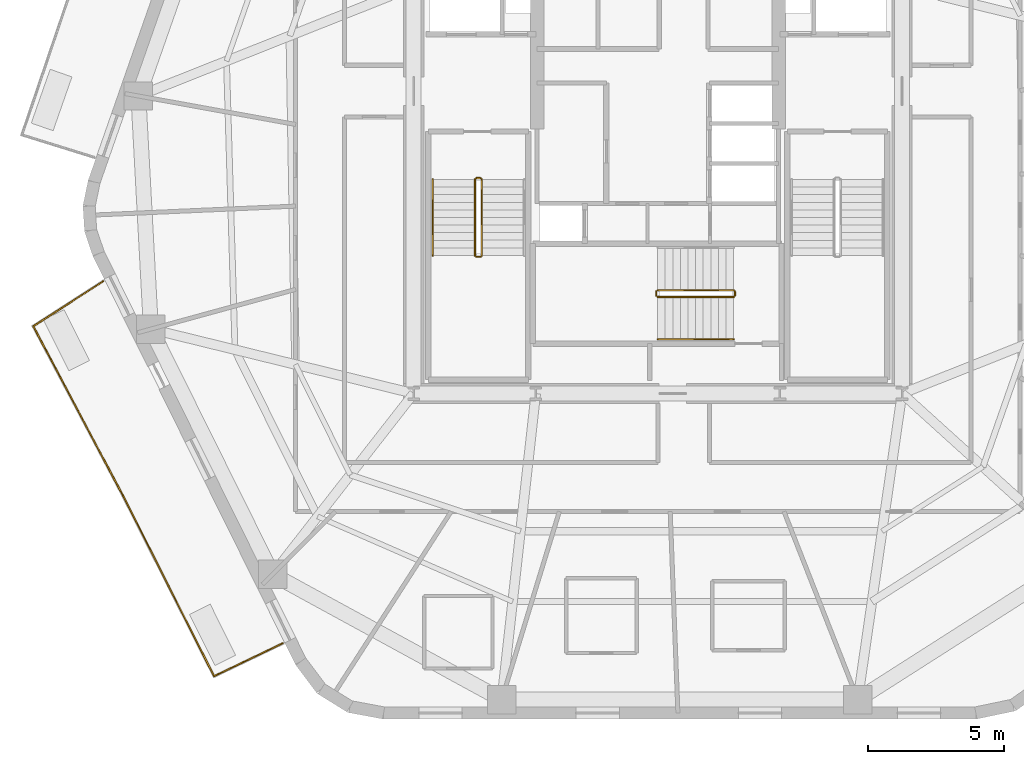
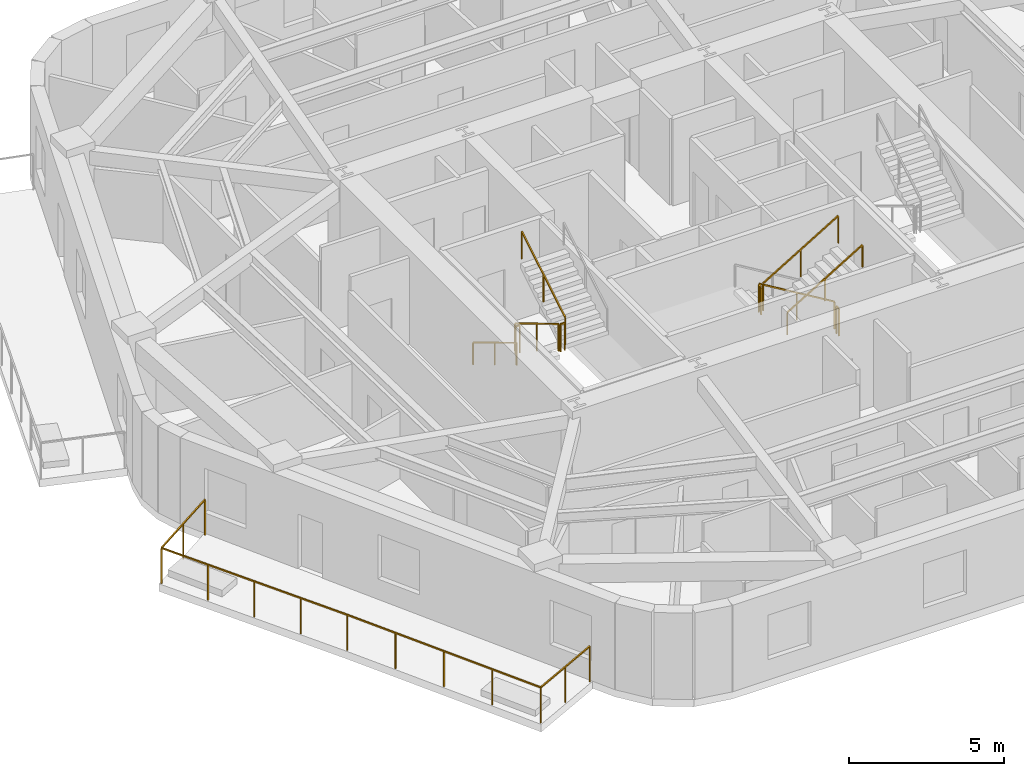
# One storey, part 8 of 10: 11 railings.
"""IFC4 building model written with IfcOpenShell, lengths in metres."""

from ifc_helpers import new_model, si_unit, direction, frame, origin, origin_2d, place, context, subcontext, project, spatial, rectangle, extrude, material, layer, layer_set, type_object, element, save


model = new_model("IFC4")

# Units and contexts
model_context = context("Model", 3, precision=1e-05, world=origin(), true_north=direction((0.0, 1.0)))
body_context = subcontext(model_context, "Body", "Model", "MODEL_VIEW")
ifc_project = project(units=[si_unit("LENGTHUNIT", "METRE"), si_unit("AREAUNIT", "SQUARE_METRE"), si_unit("VOLUMEUNIT", "CUBIC_METRE"), si_unit("PLANEANGLEUNIT", "RADIAN"), si_unit("MASSUNIT", "GRAM", prefix="KILO")], contexts=[model_context])

# Site, building, storey
site_placement = place(None, origin())
site = spatial("IfcSite", under=ifc_project, at=site_placement, CompositionType="ELEMENT")
building_placement = place(site_placement, origin())
building = spatial("IfcBuilding", under=site, at=building_placement, Name="Kilnhurst Terrace Hotel", CompositionType="ELEMENT")
storey_placement = place(building_placement, frame((0.0, 0.0, 183.0)))
storey = spatial("IfcBuildingStorey", under=building, at=storey_placement, Name="L45", CompositionType="ELEMENT", Elevation=183.0)

# Railings
ifc_material_1 = material(Name="Laminated SentryGlas and Stainless Steel AISI 316L Balustrade", Category="steel")
ifc_layer_1 = layer(ifc_material_1, 0.070068359375, Name="Laminated SentryGlas and Stainless Steel AISI 316L Balustrade")
ifc_layer_set_1 = layer_set([ifc_layer_1], Name="Laminated SentryGlas and Stainless Steel AISI 316L Balustrade")
railing_type_1 = type_object("IfcRailingType", Name="RLG-BAL-1420", PredefinedType="BALUSTRADE", material=ifc_layer_set_1)
railing_1_placement = place(storey_placement, frame((-13.83544921875, -16.709716796875, 0.0)))
element("IfcRailing", 1, at=railing_1_placement, inside=storey, type_object=railing_type_1, Name="L45 Exterior Terrace Guardrail BAL-L2B.1", PredefinedType="BALUSTRADE", context=body_context, shape_type="SweptSolid", body=[
    extrude(rectangle(XDim=0.048095703125, YDim=0.048095703125, at=origin_2d()), frame((0.0, 0.0, 1.39599609375), z_axis=(-0.901469931109, -0.43284173009, 0.0), x_axis=(0.43284173009, -0.901469931109, 0.0)), (0.0, 0.0, 1.0), 2.797119140625),
    extrude(rectangle(XDim=0.048095703125, YDim=0.048095703125, at=origin_2d()), frame((-2.521484375, -1.210693359375, 1.39599609375), z_axis=(-0.450616671131, 0.892717545307, 0.0), x_axis=(-0.892717545307, -0.450616671131, 0.0)), (0.0, 0.0, 1.0), 7.453857421875),
    extrude(rectangle(XDim=0.048095703125, YDim=0.048095703125, at=origin_2d()), frame((-5.88037109375, 5.443603515625, 1.39599609375), z_axis=(-0.4472135955, 0.894427191, 0.0), x_axis=(-0.894427191, -0.4472135955, 0.0)), (0.0, 0.0, 1.0), 0.0009765625),
    extrude(rectangle(XDim=0.048095703125, YDim=0.048095703125, at=origin_2d()), frame((-5.880859375, 5.444580078125, 1.39599609375), z_axis=(-0.46789407085, 0.883784554325, 0.0), x_axis=(-0.883784554325, -0.46789407085, 0.0)), (0.0, 0.0, 1.0), 7.0654296875),
    extrude(rectangle(XDim=0.048095703125, YDim=0.048095703125, at=origin_2d()), frame((-9.186767578125, 11.68896484375, 1.39599609375), z_axis=(0.841139546062, 0.540818143233, 0.0), x_axis=(-0.540818143233, 0.841139546062, 0.0)), (0.0, 0.0, 1.0), 3.056640625),
    extrude(rectangle(XDim=0.0419921875, YDim=0.0419921875, at=origin_2d()), origin(), (0.0, 0.0, 1.0), 1.371826171875),
    extrude(rectangle(XDim=0.0419921875, YDim=0.0419921875, at=origin_2d()), frame((-1.2607421875, -0.60546875, 0.0)), (0.0, 0.0, 1.0), 1.371826171875),
    extrude(rectangle(XDim=0.0419921875, YDim=0.0419921875, at=origin_2d()), frame((-2.521484375, -1.210693359375, 0.0)), (0.0, 0.0, 1.0), 1.371826171875),
    extrude(rectangle(XDim=0.0419921875, YDim=0.0419921875, at=origin_2d()), frame((-3.361328125, 0.452880859375, 0.0)), (0.0, 0.0, 1.0), 1.371826171875),
    extrude(rectangle(XDim=0.0419921875, YDim=0.0419921875, at=origin_2d()), frame((-4.200927734375, 2.116455078125, 0.0)), (0.0, 0.0, 1.0), 1.371826171875),
    extrude(rectangle(XDim=0.0419921875, YDim=0.0419921875, at=origin_2d()), frame((-5.04052734375, 3.780029296875, 0.0)), (0.0, 0.0, 1.0), 1.371826171875),
    extrude(rectangle(XDim=0.0419921875, YDim=0.0419921875, at=origin_2d()), frame((-5.88037109375, 5.443603515625, 0.0)), (0.0, 0.0, 1.0), 1.371826171875),
    extrude(rectangle(XDim=0.0419921875, YDim=0.0419921875, at=origin_2d()), frame((-5.880859375, 5.444580078125, 0.0)), (0.0, 0.0, 1.0), 1.371826171875),
    extrude(rectangle(XDim=0.0419921875, YDim=0.0419921875, at=origin_2d()), frame((-6.707275390625, 7.005615234375, 0.0)), (0.0, 0.0, 1.0), 1.371826171875),
    extrude(rectangle(XDim=0.0419921875, YDim=0.0419921875, at=origin_2d()), frame((-7.53369140625, 8.56689453125, 0.0)), (0.0, 0.0, 1.0), 1.371826171875),
    extrude(rectangle(XDim=0.0419921875, YDim=0.0419921875, at=origin_2d()), frame((-8.3603515625, 10.1279296875, 0.0)), (0.0, 0.0, 1.0), 1.371826171875),
    extrude(rectangle(XDim=0.0419921875, YDim=0.0419921875, at=origin_2d()), frame((-9.186767578125, 11.68896484375, 0.0)), (0.0, 0.0, 1.0), 1.371826171875),
    extrude(rectangle(XDim=0.0419921875, YDim=0.0419921875, at=origin_2d()), frame((-7.9013671875, 12.515625, 0.0)), (0.0, 0.0, 1.0), 1.371826171875),
    extrude(rectangle(XDim=0.0419921875, YDim=0.0419921875, at=origin_2d()), frame((-6.61572265625, 13.342041015625, 0.0)), (0.0, 0.0, 1.0), 1.371826171875),
])
ifc_material_2 = material(Name="Powder-Coated Steel ASTM A500 Grade B", Category="steel")
ifc_layer_2 = layer(ifc_material_2, 0.050048828125, Name="Powder-Coated Steel ASTM A500 Grade B")
ifc_layer_set_2 = layer_set([ifc_layer_2], Name="Powder-Coated Steel ASTM A500 Grade B")
railing_type_2 = type_object("IfcRailingType", Name="RLG-ST-GRD-1100", PredefinedType="GUARDRAIL", material=ifc_layer_set_2)
railing_2_placement = place(storey_placement, frame((-6.739990234375, 0.389892578125, 0.168212890625)))
element("IfcRailing", 2, at=railing_2_placement, inside=storey, type_object=railing_type_2, Name="L45 ST-1 stair guard 1", PredefinedType="GUARDRAIL", context=body_context, shape_type="SweptSolid", body=[
    extrude(rectangle(XDim=0.048095703125, YDim=0.048095703125, at=origin_2d()), frame((0.0, 0.0, 1.076171875), z_axis=(0.0, -0.857222391501, 0.514946377315), x_axis=(1.0, 0.0, 0.0)), (0.0, 0.0, 1.0), 3.26611328125),
    extrude(rectangle(XDim=0.0419921875, YDim=0.0419921875, at=origin_2d()), origin(), (0.0, 0.0, 1.0), 1.052001953125),
    extrude(rectangle(XDim=0.0419921875, YDim=0.0419921875, at=origin_2d()), frame((0.0, -1.39990234375, 0.8408203125)), (0.0, 0.0, 1.0), 1.052001953125),
    extrude(rectangle(XDim=0.0419921875, YDim=0.0419921875, at=origin_2d()), frame((0.0, -2.7998046875, 1.681884765625)), (0.0, 0.0, 1.0), 1.052001953125),
])
railing_3_placement = place(storey_placement, frame((-6.68994140625, -2.4599609375, 1.85009765625)))
element("IfcRailing", 3, at=railing_3_placement, inside=storey, type_object=railing_type_2, Name="L45 ST-1 stair guard 2", PredefinedType="GUARDRAIL", context=body_context, shape_type="SweptSolid", body=[
    extrude(rectangle(XDim=0.048095703125, YDim=0.048095703125, at=origin_2d()), frame((0.0, 0.0, 1.076171875), z_axis=(1.0, 0.0, 0.0), x_axis=(0.0, 1.0, 0.0)), (0.0, 0.0, 1.0), 0.14990234375),
    extrude(rectangle(XDim=0.0419921875, YDim=0.0419921875, at=origin_2d()), origin(), (0.0, 0.0, 1.0), 1.052001953125),
    extrude(rectangle(XDim=0.0419921875, YDim=0.0419921875, at=origin_2d()), frame((0.14990234375, 0.0, 0.0)), (0.0, 0.0, 1.0), 1.052001953125),
])
railing_4_placement = place(storey_placement, frame((-6.489990234375, -2.409912109375, 2.01806640625)))
element("IfcRailing", 4, at=railing_4_placement, inside=storey, type_object=railing_type_2, Name="L45 ST-1 stair guard 3", PredefinedType="GUARDRAIL", context=body_context, shape_type="SweptSolid", body=[
    extrude(rectangle(XDim=0.048095703125, YDim=0.048095703125, at=origin_2d()), frame((0.0, 0.0, 1.076171875), z_axis=(0.0, 0.857222391501, 0.514946377315), x_axis=(-1.0, 0.0, 0.0)), (0.0, 0.0, 1.0), 3.26611328125),
    extrude(rectangle(XDim=0.0419921875, YDim=0.0419921875, at=origin_2d()), origin(), (0.0, 0.0, 1.0), 1.052001953125),
    extrude(rectangle(XDim=0.0419921875, YDim=0.0419921875, at=origin_2d()), frame((0.0, 1.39990234375, 0.8408203125)), (0.0, 0.0, 1.0), 1.052001953125),
    extrude(rectangle(XDim=0.0419921875, YDim=0.0419921875, at=origin_2d()), frame((0.0, 2.7998046875, 1.681884765625)), (0.0, 0.0, 1.0), 1.052001953125),
])
railing_5_placement = place(storey_placement, frame((-6.68994140625, 0.43994140625, 0.0)))
element("IfcRailing", 5, at=railing_5_placement, inside=storey, type_object=railing_type_2, Name="L45 ST-1 stair guard 4", PredefinedType="GUARDRAIL", context=body_context, shape_type="SweptSolid", body=[
    extrude(rectangle(XDim=0.048095703125, YDim=0.048095703125, at=origin_2d()), frame((0.0, 0.0, 1.076171875), z_axis=(1.0, 0.0, 0.0), x_axis=(0.0, 1.0, 0.0)), (0.0, 0.0, 1.0), 0.14990234375),
    extrude(rectangle(XDim=0.0419921875, YDim=0.0419921875, at=origin_2d()), origin(), (0.0, 0.0, 1.0), 1.052001953125),
    extrude(rectangle(XDim=0.0419921875, YDim=0.0419921875, at=origin_2d()), frame((0.14990234375, 0.0, 0.0)), (0.0, 0.0, 1.0), 1.052001953125),
])
railing_6_placement = place(storey_placement, frame((2.7900390625, -3.68994140625, 0.168212890625)))
element("IfcRailing", 6, at=railing_6_placement, inside=storey, type_object=railing_type_2, Name="L45 ST-3 stair guard 1", PredefinedType="GUARDRAIL", context=body_context, shape_type="SweptSolid", body=[
    extrude(rectangle(XDim=0.048095703125, YDim=0.048095703125, at=origin_2d()), frame((0.0, 0.0, 1.076171875), z_axis=(-0.857242210791, 0.0, 0.514913383045), x_axis=(0.0, -1.0, 0.0)), (0.0, 0.0, 1.0), 3.266357421875),
    extrude(rectangle(XDim=0.0419921875, YDim=0.0419921875, at=origin_2d()), origin(), (0.0, 0.0, 1.0), 1.052001953125),
    extrude(rectangle(XDim=0.0419921875, YDim=0.0419921875, at=origin_2d()), frame((-1.39990234375, 0.0, 0.8408203125)), (0.0, 0.0, 1.0), 1.052001953125),
    extrude(rectangle(XDim=0.0419921875, YDim=0.0419921875, at=origin_2d()), frame((-2.800048828125, 0.0, 1.681884765625)), (0.0, 0.0, 1.0), 1.052001953125),
])
railing_7_placement = place(storey_placement, frame((-0.06005859375, -3.739990234375, 1.85009765625)))
element("IfcRailing", 7, at=railing_7_placement, inside=storey, type_object=railing_type_2, Name="L45 ST-3 stair guard 2", PredefinedType="GUARDRAIL", context=body_context, shape_type="SweptSolid", body=[
    extrude(rectangle(XDim=0.048095703125, YDim=0.048095703125, at=origin_2d()), frame((0.0, 0.0, 1.076171875), z_axis=(0.0, -1.0, 0.0), x_axis=(1.0, 0.0, 0.0)), (0.0, 0.0, 1.0), 0.14990234375),
    extrude(rectangle(XDim=0.0419921875, YDim=0.0419921875, at=origin_2d()), origin(), (0.0, 0.0, 1.0), 1.052001953125),
    extrude(rectangle(XDim=0.0419921875, YDim=0.0419921875, at=origin_2d()), frame((0.0, -0.14990234375, 0.0)), (0.0, 0.0, 1.0), 1.052001953125),
])
railing_8_placement = place(storey_placement, frame((-0.010009765625, -3.93994140625, 2.01806640625)))
element("IfcRailing", 8, at=railing_8_placement, inside=storey, type_object=railing_type_2, Name="L45 ST-3 stair guard 3", PredefinedType="GUARDRAIL", context=body_context, shape_type="SweptSolid", body=[
    extrude(rectangle(XDim=0.048095703125, YDim=0.048095703125, at=origin_2d()), frame((0.0, 0.0, 1.076171875), z_axis=(0.857242210791, 0.0, 0.514913383045), x_axis=(0.0, 1.0, 0.0)), (0.0, 0.0, 1.0), 3.266357421875),
    extrude(rectangle(XDim=0.0419921875, YDim=0.0419921875, at=origin_2d()), origin(), (0.0, 0.0, 1.0), 1.052001953125),
    extrude(rectangle(XDim=0.0419921875, YDim=0.0419921875, at=origin_2d()), frame((1.39990234375, 0.0, 0.8408203125)), (0.0, 0.0, 1.0), 1.052001953125),
    extrude(rectangle(XDim=0.0419921875, YDim=0.0419921875, at=origin_2d()), frame((2.800048828125, 0.0, 1.681884765625)), (0.0, 0.0, 1.0), 1.052001953125),
])
railing_9_placement = place(storey_placement, frame((2.840087890625, -3.739990234375, 0.0)))
element("IfcRailing", 9, at=railing_9_placement, inside=storey, type_object=railing_type_2, Name="L45 ST-3 stair guard 4", PredefinedType="GUARDRAIL", context=body_context, shape_type="SweptSolid", body=[
    extrude(rectangle(XDim=0.048095703125, YDim=0.048095703125, at=origin_2d()), frame((0.0, 0.0, 1.076171875), z_axis=(0.0, -1.0, 0.0), x_axis=(1.0, 0.0, 0.0)), (0.0, 0.0, 1.0), 0.14990234375),
    extrude(rectangle(XDim=0.0419921875, YDim=0.0419921875, at=origin_2d()), origin(), (0.0, 0.0, 1.0), 1.052001953125),
    extrude(rectangle(XDim=0.0419921875, YDim=0.0419921875, at=origin_2d()), frame((0.0, -0.14990234375, 0.0)), (0.0, 0.0, 1.0), 1.052001953125),
])
ifc_material_3 = material(Name="Brushed Stainless Steel AISI 304", Category="steel")
ifc_layer_3 = layer(ifc_material_3, 0.048095703125, Name="Brushed Stainless Steel AISI 304")
ifc_layer_set_3 = layer_set([ifc_layer_3], Name="Brushed Stainless Steel AISI 304")
railing_type_3 = type_object("IfcRailingType", Name="RLG-ST-HRL-900", PredefinedType="HANDRAIL", material=ifc_layer_set_3)
railing_10_placement = place(storey_placement, frame((-8.300048828125, 0.389892578125, 0.168212890625)))
element("IfcRailing", 10, at=railing_10_placement, inside=storey, type_object=railing_type_3, Name="L45 ST-1 stair handrail 1", PredefinedType="HANDRAIL", context=body_context, shape_type="SweptSolid", body=[
    extrude(rectangle(XDim=0.048095703125, YDim=0.048095703125, at=origin_2d()), frame((0.0, 0.0, 0.8759765625), z_axis=(0.0, -0.857222391501, 0.514946377315), x_axis=(1.0, 0.0, 0.0)), (0.0, 0.0, 1.0), 3.26611328125),
    extrude(rectangle(XDim=0.0419921875, YDim=0.0419921875, at=origin_2d()), origin(), (0.0, 0.0, 1.0), 0.851806640625),
    extrude(rectangle(XDim=0.0419921875, YDim=0.0419921875, at=origin_2d()), frame((0.0, -1.39990234375, 0.8408203125)), (0.0, 0.0, 1.0), 0.851806640625),
    extrude(rectangle(XDim=0.0419921875, YDim=0.0419921875, at=origin_2d()), frame((0.0, -2.7998046875, 1.681884765625)), (0.0, 0.0, 1.0), 0.851806640625),
])
railing_11_placement = place(storey_placement, frame((-0.010009765625, -5.5, 2.01806640625)))
element("IfcRailing", 11, at=railing_11_placement, inside=storey, type_object=railing_type_3, Name="L45 ST-3 stair handrail 2", PredefinedType="HANDRAIL", context=body_context, shape_type="SweptSolid", body=[
    extrude(rectangle(XDim=0.048095703125, YDim=0.048095703125, at=origin_2d()), frame((0.0, 0.0, 0.8759765625), z_axis=(0.857242210791, 0.0, 0.514913383045), x_axis=(0.0, 1.0, 0.0)), (0.0, 0.0, 1.0), 3.266357421875),
    extrude(rectangle(XDim=0.0419921875, YDim=0.0419921875, at=origin_2d()), origin(), (0.0, 0.0, 1.0), 0.851806640625),
    extrude(rectangle(XDim=0.0419921875, YDim=0.0419921875, at=origin_2d()), frame((1.39990234375, 0.0, 0.8408203125)), (0.0, 0.0, 1.0), 0.851806640625),
    extrude(rectangle(XDim=0.0419921875, YDim=0.0419921875, at=origin_2d()), frame((2.800048828125, 0.0, 1.681884765625)), (0.0, 0.0, 1.0), 0.851806640625),
])

save(model, "model.ifc")
